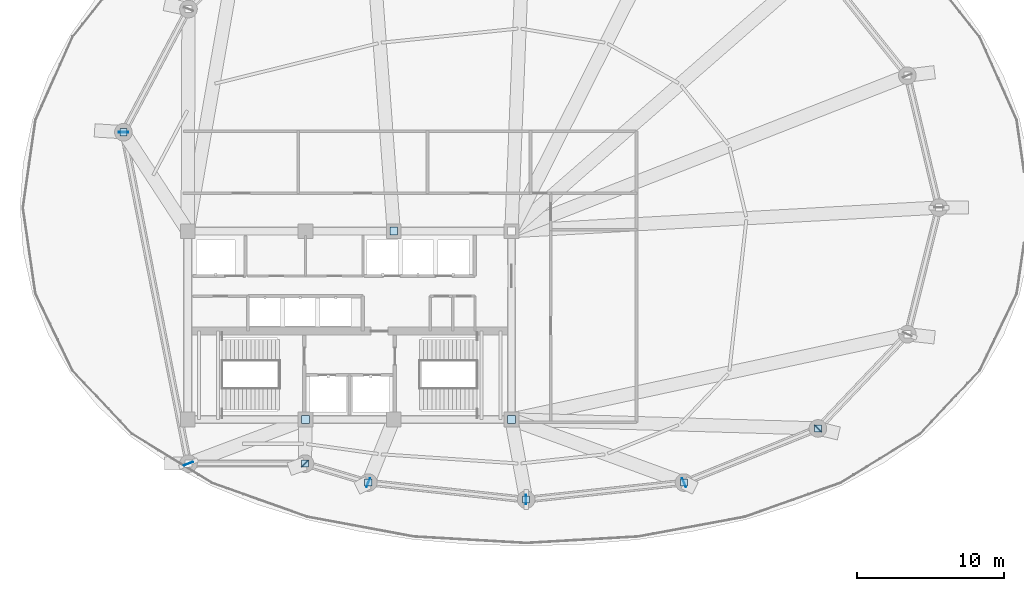
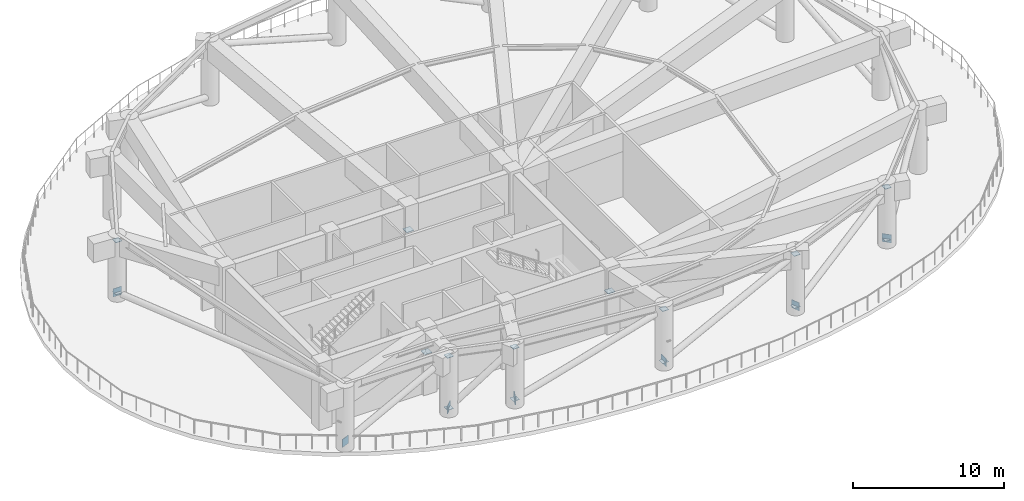
# One storey, part 3 of 9: 22 plates.
"""IFC4 building model written with IfcOpenShell, lengths in metres."""

from ifc_helpers import new_model, si_unit, direction, frame, origin, origin_2d, place, context, subcontext, project, spatial, rectangle, extrude, material, layer, layer_set, type_object, element, save


model = new_model("IFC4")

# Units and contexts
model_context = context("Model", 3, precision=1e-05, world=origin(), true_north=direction((0.0, 1.0)))
body_context = subcontext(model_context, "Body", "Model", "MODEL_VIEW")
ifc_project = project(units=[si_unit("LENGTHUNIT", "METRE"), si_unit("AREAUNIT", "SQUARE_METRE"), si_unit("VOLUMEUNIT", "CUBIC_METRE"), si_unit("PLANEANGLEUNIT", "RADIAN"), si_unit("MASSUNIT", "GRAM", prefix="KILO")], contexts=[model_context])

# Site, building, storey
site_placement = place(None, origin())
site = spatial("IfcSite", under=ifc_project, at=site_placement, CompositionType="ELEMENT")
building_placement = place(site_placement, origin())
building = spatial("IfcBuilding", under=site, at=building_placement, Name="Kazevale Care Tower and Concert Hall", CompositionType="ELEMENT")
storey_placement = place(building_placement, frame((0.0, 0.0, 181.800048828125)))
storey = spatial("IfcBuildingStorey", under=building, at=storey_placement, Name="L48", CompositionType="ELEMENT", Elevation=181.800048828125)

# Plates
ifc_material = material(Name="Steel ASTM A572 Gr 50", Category="steel")
ifc_layer_1 = layer(ifc_material, 0.02490234375)
ifc_layer_set_1 = layer_set([ifc_layer_1], Name="Steel ASTM A572 Gr 50")
plate_type_1 = type_object("IfcPlateType", Name="Hollow Section End Cap Plate 25mm", PredefinedType="USERDEFINED", material=ifc_layer_set_1)
for number, where, z_axis, x_axis, name in (
    (1, (17.6298828125, 43.1201171875, 4.597412109375), (0.0, 0.0, 1.0), (1.0, 0.0, 0.0), "brace:L48:belt:08:cap1"),
    (2, (17.6298828125, 43.1201171875, 0.387451171875), (0.0, 0.0, 1.0), (1.0, 0.0, 0.0), "brace:L48:belt:09:cap0"),
    (3, (29.969970703125, 20.60009765625, 4.597412109375), (0.0, 0.0, 1.0), (1.0, 0.0, 0.0), "brace:L48:belt:10:cap1"),
    (4, (29.969970703125, 20.60009765625, 0.387451171875), (0.0, 0.0, 1.0), (1.0, 0.0, 0.0), "brace:L48:belt:11:cap0"),
    (5, (34.27001953125, 19.31005859375, 4.597412109375), (0.0, 0.0, 1.0), (1.0, 0.0, 0.0), "brace:L48:belt:11:cap1"),
    (6, (34.27001953125, 19.31005859375, 0.387451171875), (0.0, 0.0, 1.0), (1.0, 0.0, 0.0), "brace:L48:belt:12:cap0"),
    (7, (45.0, 18.14990234375, 4.597412109375), (0.0, 0.0, 1.0), (1.0, 0.0, 0.0), "brace:L48:belt:12:cap1"),
    (8, (45.0, 18.14990234375, 0.387451171875), (0.0, 0.0, 1.0), (1.0, 0.0, 0.0), "brace:L48:belt:13:cap0"),
    (9, (55.72998046875, 19.31005859375, 4.597412109375), (0.0, 0.0, 1.0), (1.0, 0.0, 0.0), "brace:L48:belt:13:cap1"),
    (10, (55.72998046875, 19.31005859375, 0.387451171875), (0.0, 0.0, 1.0), (1.0, 0.0, 0.0), "brace:L48:belt:14:cap0"),
    (11, (64.830078125, 22.989990234375, 4.597412109375), (0.0, 0.0, 1.0), (1.0, 0.0, 0.0), "brace:L48:belt:14:cap1"),
    (12, (64.830078125, 22.989990234375, 0.387451171875), (0.0, 0.0, 1.0), (1.0, 0.0, 0.0), "brace:L48:belt:15:cap0"),
):
    element("IfcPlate", number, at=place(storey_placement, frame(where, z_axis=z_axis, x_axis=x_axis)), inside=storey, type_object=plate_type_1, Name=name, ObjectType="END_CAP_PLATE", PredefinedType="USERDEFINED", context=body_context, shape_type="SweptSolid", body=[
        extrude(rectangle(XDim=0.47998046875, YDim=0.47998046875, at=origin_2d()), origin(), (0.0, 0.0, 1.0), 0.02490234375),
    ])
for number, where, z_axis, x_axis, name in (
    (13, (36.0, 36.39990234375, 3.08740234375), (0.0, 0.0, 1.0), (1.0, 0.0, 0.0), "brace:L48:outrig:2:cap0"),
    (14, (30.0, 23.60009765625, 3.08740234375), (0.0, 0.0, 1.0), (1.0, 0.0, 0.0), "brace:L48:outrig:3:cap0"),
    (15, (44.0, 23.60009765625, 3.08740234375), (0.0, 0.0, 1.0), (1.0, 0.0, 0.0), "brace:L48:outrig:4:cap0"),
):
    element("IfcPlate", number, at=place(storey_placement, frame(where, z_axis=z_axis, x_axis=x_axis)), inside=storey, type_object=plate_type_1, Name=name, ObjectType="END_CAP_PLATE", PredefinedType="USERDEFINED", context=body_context, shape_type="SweptSolid", body=[
        extrude(rectangle(XDim=0.5400390625, YDim=0.5400390625, at=origin_2d()), origin(), (0.0, 0.0, 1.0), 0.02490234375),
    ])
ifc_layer_2 = layer(ifc_material, 0.0400390625)
ifc_layer_set_2 = layer_set([ifc_layer_2], Name="Steel ASTM A572 Gr 50")
plate_type_2 = type_object("IfcPlateType", Name="Outrigger & Truss Gusset Plate 40mm", PredefinedType="USERDEFINED", material=ifc_layer_set_2)
for number, where, z_axis, x_axis, name in (
    (16, (17.6298828125, 43.1201171875, 0.125), (0.0, 0.0, 1.0), (-1.0, 0.0, 0.0), "plate:L48:gusset:09"),
    (17, (22.050048828125, 20.60009765625, 0.125), (0.0, 0.0, 1.0), (-0.923879532511, -0.382683432365, 0.0), "plate:L48:gusset:10"),
    (18, (29.969970703125, 20.60009765625, 0.125), (0.0, 0.0, 1.0), (-0.707106781187, -0.707106781187, 0.0), "plate:L48:gusset:11"),
    (19, (34.27001953125, 19.31005859375, 0.125), (0.0, 0.0, 1.0), (-0.382683432365, -0.923879532511, 0.0), "plate:L48:gusset:12"),
    (20, (45.0, 18.14990234375, 0.125), (0.0, 0.0, 1.0), (0.0, -1.0, 0.0), "plate:L48:gusset:13"),
    (21, (55.72998046875, 19.31005859375, 0.125), (0.0, 0.0, 1.0), (0.382683432365, -0.923879532511, 0.0), "plate:L48:gusset:14"),
    (22, (64.830078125, 22.989990234375, 0.125), (0.0, 0.0, 1.0), (0.707106781187, -0.707106781187, 0.0), "plate:L48:gusset:15"),
):
    element("IfcPlate", number, at=place(storey_placement, frame(where, z_axis=z_axis, x_axis=x_axis)), inside=storey, type_object=plate_type_2, Name=name, ObjectType="GUSSET_PLATE", PredefinedType="USERDEFINED", context=body_context, shape_type="SweptSolid", body=[
        extrude(rectangle(XDim=0.64990234375, YDim=0.0400390625, at=origin_2d()), origin(), (0.0, 0.0, 1.0), 0.64990234375),
    ])

save(model, "model.ifc")
